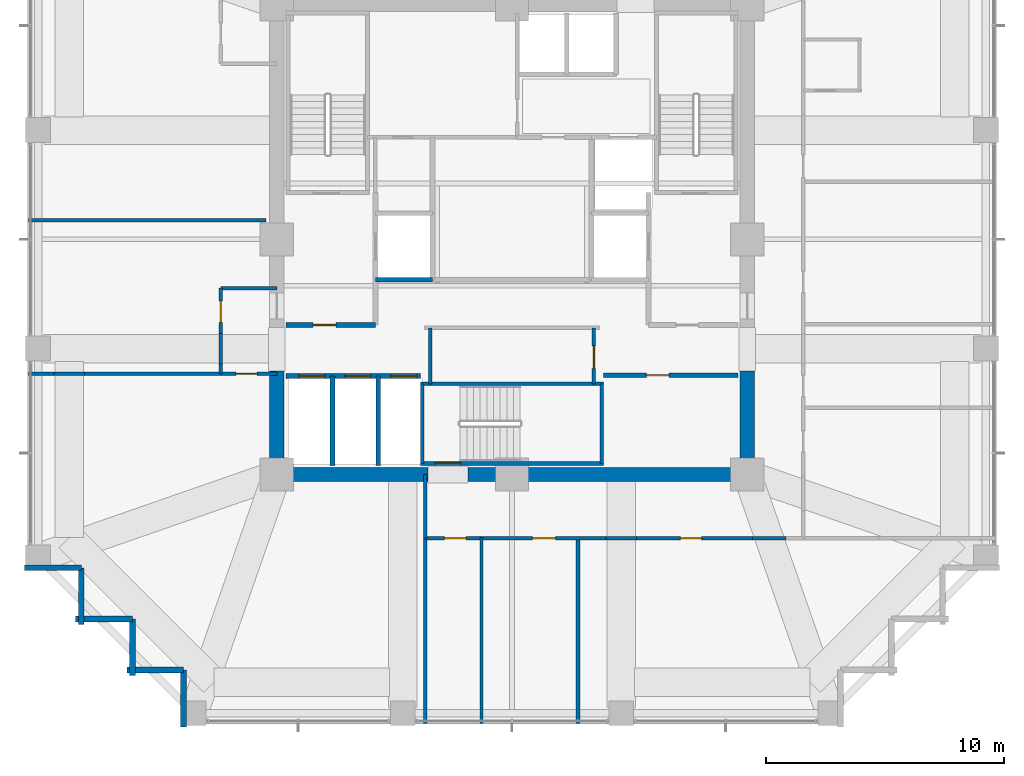
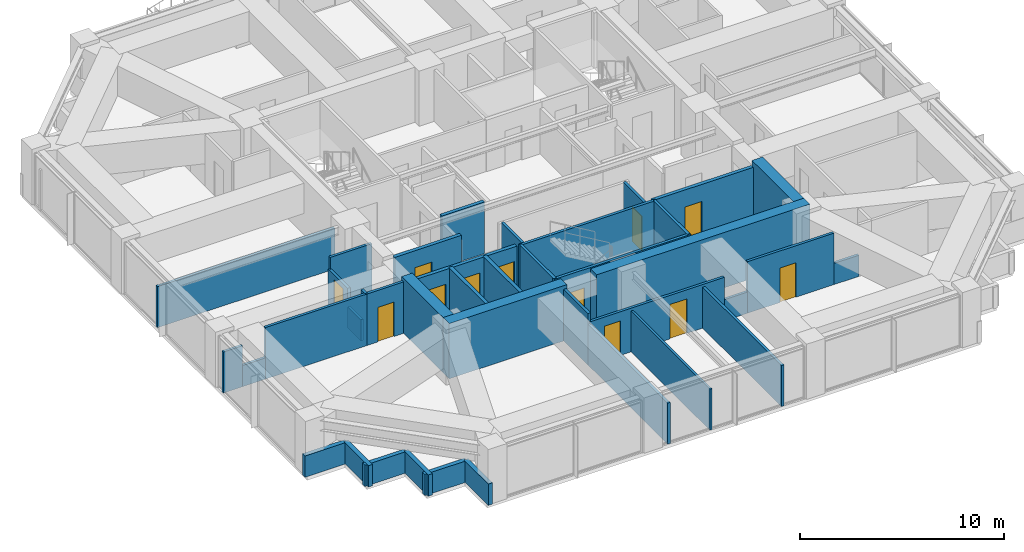
# One storey, part 30 of 34: 39 walls, 12 doors, 12 openings.
"""IFC4 building model written with IfcOpenShell, lengths in metres."""

from ifc_helpers import new_model, si_unit, direction, frame, frame_2d, origin, place, context, subcontext, project, spatial, rectangle, extrude, material, layer, layer_set, type_object, element, fill, save


model = new_model("IFC4")

# Units and contexts
model_context = context("Model", 3, precision=1e-05, world=origin(), true_north=direction((0.0, 1.0)))
body_context = subcontext(model_context, "Body", "Model", "MODEL_VIEW")
ifc_project = project(units=[si_unit("LENGTHUNIT", "METRE"), si_unit("AREAUNIT", "SQUARE_METRE"), si_unit("VOLUMEUNIT", "CUBIC_METRE"), si_unit("PLANEANGLEUNIT", "RADIAN"), si_unit("MASSUNIT", "GRAM", prefix="KILO")], contexts=[model_context])

# Site, building, storey
site_placement = place(None, origin())
site = spatial("IfcSite", under=ifc_project, at=site_placement, CompositionType="ELEMENT")
building_placement = place(site_placement, origin())
building = spatial("IfcBuilding", under=site, at=building_placement, Name="Kolvaren Belvedere", CompositionType="ELEMENT")
storey_placement = place(building_placement, frame((0.0, 0.0, 105.199951171875)))
storey = spatial("IfcBuildingStorey", under=building, at=storey_placement, Name="L30", CompositionType="ELEMENT", Elevation=105.199951171875)

# Walls
ifc_material_1 = material(Name="Concrete C60/75", Category="concrete")
ifc_layer_1 = layer(ifc_material_1, 0.60009765625)
ifc_layer_set_1 = layer_set([ifc_layer_1], Name="Concrete C60/75")
wall_type_1 = type_object("IfcWallType", Name="CW-CORE-600", PredefinedType="SHEAR", material=ifc_layer_set_1)
wall_1_placement = place(storey_placement, frame((10.199951171875, -9.89990234375, 0.0), z_axis=(0.0, 0.0, 1.0), x_axis=(-1.0, 0.0, 0.0)))
element("IfcWall", 1, at=wall_1_placement, inside=storey, type_object=wall_type_1, Name="L30 South Core Shear Wall 1", PredefinedType="SHEAR", context=body_context, shape_type="SweptSolid", body=[
    extrude(rectangle(XDim=12.06005859375, YDim=0.60009765625, at=frame_2d((6.030029296875, 0.0))), origin(), (0.0, 0.0, 1.0), 3.300048828125),
])
wall_2_placement = place(storey_placement, frame((-3.5400390625, -9.89990234375, 0.0), z_axis=(0.0, 0.0, 1.0), x_axis=(-1.0, 0.0, 0.0)))
element("IfcWall", 2, at=wall_2_placement, inside=storey, type_object=wall_type_1, Name="L30 South Core Shear Wall 2", PredefinedType="SHEAR", context=body_context, shape_type="SweptSolid", body=[
    extrude(rectangle(XDim=6.659912109375, YDim=0.60009765625, at=frame_2d((3.330078125, 0.0))), origin(), (0.0, 0.0, 1.0), 3.300048828125),
])
for number, where, z_axis, x_axis, name in (
    (3, (-9.89990234375, -9.60009765625, 0.0), (0.0, 0.0, 1.0), (0.0, 1.0, 0.0), "L30 West Core Shear Wall 1"),
    (4, (9.89990234375, -9.60009765625, 0.0), (0.0, 0.0, 1.0), (0.0, 1.0, 0.0), "L30 East Core Shear Wall 1"),
):
    element("IfcWall", number, at=place(storey_placement, frame(where, z_axis=z_axis, x_axis=x_axis)), inside=storey, type_object=wall_type_1, Name=name, PredefinedType="SHEAR", context=body_context, shape_type="SweptSolid", body=[
        extrude(rectangle(XDim=4.050048828125, YDim=0.60009765625, at=frame_2d((2.02490234375, 0.0))), origin(), (0.0, 0.0, 1.0), 3.300048828125),
    ])

# Wall, opening, door
ifc_material_2 = material(Name="Concrete C50/60", Category="concrete")
ifc_layer_2 = layer(ifc_material_2, 0.159912109375)
ifc_layer_set_2 = layer_set([ifc_layer_2], Name="Concrete C50/60")
wall_type_2 = type_object("IfcWallType", Name="CW-STAIR-160", PredefinedType="SHEAR", material=ifc_layer_set_2)
wall_3_placement = place(storey_placement, frame((3.860107421875, -9.429931640625, 0.0), z_axis=(0.0, 0.0, 1.0), x_axis=(-1.0, 0.0, 0.0)))
wall_3 = element("IfcWall", 5, at=wall_3_placement, inside=storey, type_object=wall_type_2, Name="L30 Stair ST-3 South Shear Wall", PredefinedType="SHEAR", context=body_context, shape_type="SweptSolid", body=[
    extrude(rectangle(XDim=7.72021484375, YDim=0.159912109375, at=frame_2d((3.860107421875, 0.0))), origin(), (0.0, 0.0, 1.0), 3.300048828125),
])
opening_1_placement = place(wall_3_placement, frame((6.010009765625, 0.0, 0.0)))
opening_1 = element("IfcOpeningElement", 6, at=opening_1_placement, cuts=wall_3, Name="Opening D-FD90", PredefinedType="OPENING", context=body_context, shape_type="SweptSolid", body=[
    extrude(rectangle(XDim=1.10009765625, YDim=2.199951171875, at=frame_2d((0.550048828125, 1.10009765625))), frame((0.0, 0.08984375, 0.0), z_axis=(0.0, -1.0, 0.0), x_axis=(1.0, 0.0, 0.0)), (0.0, 0.0, 1.0), 0.179931640625),
])
ifc_material_3 = material(Name="Painted hollow stainless steel", Category="steel")
door_type_1 = type_object("IfcDoorType", Name="DR-FD90-1100", OperationType="NOTDEFINED", PredefinedType="DOOR", material=ifc_material_3)
door_1_placement = place(opening_1_placement, origin())
door_1 = element("IfcDoor", 7, at=door_1_placement, inside=storey, type_object=door_type_1, Name="L30 Stair ST-3 Exit Door", OperationType="SINGLE_SWING_RIGHT", OverallHeight=2.199951171875, OverallWidth=1.10009765625, PredefinedType="DOOR", context=body_context, shape_type="SweptSolid", body=[
    extrude(rectangle(XDim=1.10009765625, YDim=2.199951171875, at=frame_2d((0.550048828125, 1.10009765625))), frame((0.0, 0.02490234375, 0.0), z_axis=(0.0, -1.0, 0.0), x_axis=(1.0, 0.0, 0.0)), (0.0, 0.0, 1.0), 0.050048828125),
])
fill(opening_1, door_1)

# Walls
wall_4_placement = place(storey_placement, frame((-3.860107421875, -6.080078125, 0.0), z_axis=(0.0, 0.0, 1.0), x_axis=(1.0, 0.0, 0.0)))
element("IfcWall", 8, at=wall_4_placement, inside=storey, type_object=wall_type_2, Name="L30 Stair ST-3 North Shear Wall", PredefinedType="SHEAR", context=body_context, shape_type="SweptSolid", body=[
    extrude(rectangle(XDim=7.72021484375, YDim=0.159912109375, at=frame_2d((3.860107421875, 0.0))), origin(), (0.0, 0.0, 1.0), 3.300048828125),
])
for number, where, z_axis, x_axis, name in (
    (9, (-3.780029296875, -9.429931640625, 0.0), (0.0, 0.0, 1.0), (0.0, 1.0, 0.0), "L30 Stair ST-3 West Shear Wall"),
    (10, (3.780029296875, -9.429931640625, 0.0), (0.0, 0.0, 1.0), (0.0, 1.0, 0.0), "L30 Stair ST-3 East Shear Wall"),
):
    element("IfcWall", number, at=place(storey_placement, frame(where, z_axis=z_axis, x_axis=x_axis)), inside=storey, type_object=wall_type_2, Name=name, PredefinedType="SHEAR", context=body_context, shape_type="SweptSolid", body=[
        extrude(rectangle(XDim=3.349853515625, YDim=0.159912109375, at=frame_2d((1.6748046875, 0.0))), origin(), (0.0, 0.0, 1.0), 3.300048828125),
    ])

# Wall, openings, doors
ifc_material_4 = material(Name="Gypsum fire-rated partition assembly", Category="gypsum")
ifc_layer_3 = layer(ifc_material_4, 0.14990234375)
ifc_layer_set_3 = layer_set([ifc_layer_3], Name="Gypsum fire-rated partition assembly")
wall_type_3 = type_object("IfcWallType", Name="WL-CORR-150", PredefinedType="PARTITIONING", material=ifc_layer_set_3)
wall_5_placement = place(storey_placement, frame((-3.64990234375, -12.580078125, 0.0), z_axis=(0.0, 0.0, 1.0), x_axis=(1.0, 0.0, 0.0)))
wall_5 = element("IfcWall", 11, at=wall_5_placement, inside=storey, type_object=wall_type_3, Name="L30 South-East Corridor Wall", PredefinedType="PARTITIONING", context=body_context, shape_type="SweptSolid", body=[
    extrude(rectangle(XDim=7.60791015625, YDim=0.14990234375, at=frame_2d((3.803955078125, 0.0))), origin(), (0.0, 0.0, 1.0), 2.60498046875),
])
opening_2_placement = place(wall_5_placement, frame((0.81787109375, 0.0, 0.0)))
opening_2 = element("IfcOpeningElement", 12, at=opening_2_placement, cuts=wall_5, Name="Opening D-INT90", PredefinedType="OPENING", context=body_context, shape_type="SweptSolid", body=[
    extrude(rectangle(XDim=0.89990234375, YDim=2.06005859375, at=frame_2d((0.449951171875, 1.030029296875))), frame((0.0, 0.0849609375, 0.0), z_axis=(0.0, -1.0, 0.0), x_axis=(1.0, 0.0, 0.0)), (0.0, 0.0, 1.0), 0.169921875),
])
opening_3_placement = place(wall_5_placement, frame((4.521728515625, 0.0, 0.0)))
opening_3 = element("IfcOpeningElement", 13, at=opening_3_placement, cuts=wall_5, Name="Opening D-INT95", PredefinedType="OPENING", context=body_context, shape_type="SweptSolid", body=[
    extrude(rectangle(XDim=0.949951171875, YDim=2.06005859375, at=frame_2d((0.47509765625, 1.030029296875))), frame((0.0, 0.0849609375, 0.0), z_axis=(0.0, -1.0, 0.0), x_axis=(1.0, 0.0, 0.0)), (0.0, 0.0, 1.0), 0.169921875),
])
ifc_material_5 = material(Name="Stained Pacific white oak", Category="timber")
door_type_2 = type_object("IfcDoorType", Name="DR-INT-900", OperationType="NOTDEFINED", PredefinedType="DOOR", material=ifc_material_5)
door_2_placement = place(opening_2_placement, origin())
door_2 = element("IfcDoor", 14, at=door_2_placement, inside=storey, type_object=door_type_2, Name="L30 Housekeeping Door", OperationType="SINGLE_SWING_LEFT", OverallHeight=2.06005859375, OverallWidth=0.89990234375, PredefinedType="DOOR", context=body_context, shape_type="SweptSolid", body=[
    extrude(rectangle(XDim=0.89990234375, YDim=2.06005859375, at=frame_2d((0.449951171875, 1.030029296875))), frame((0.0, 0.02490234375, 0.0), z_axis=(0.0, -1.0, 0.0), x_axis=(1.0, 0.0, 0.0)), (0.0, 0.0, 1.0), 0.050048828125),
])
fill(opening_2, door_2)
ifc_material_6 = material(Name="Stained Pacific white oak", Category="timber")
door_type_3 = type_object("IfcDoorType", Name="DR-INT-950", OperationType="NOTDEFINED", PredefinedType="DOOR", material=ifc_material_6)
door_3_placement = place(opening_3_placement, origin())
door_3 = element("IfcDoor", 15, at=door_3_placement, inside=storey, type_object=door_type_3, Name="L30 Accessible Washroom Door", OperationType="SINGLE_SWING_RIGHT", OverallHeight=2.06005859375, OverallWidth=0.949951171875, PredefinedType="DOOR", context=body_context, shape_type="SweptSolid", body=[
    extrude(rectangle(XDim=0.949951171875, YDim=2.06005859375, at=frame_2d((0.47509765625, 1.030029296875))), frame((0.0, 0.02490234375, 0.0), z_axis=(0.0, -1.0, 0.0), x_axis=(1.0, 0.0, 0.0)), (0.0, 0.0, 1.0), 0.050048828125),
])
fill(opening_3, door_3)

# Wall
wall_6_placement = place(storey_placement, frame((3.9580078125, -12.580078125, 0.0), z_axis=(0.0, 0.0, 1.0), x_axis=(1.0, 0.0, 0.0)))
element("IfcWall", 16, at=wall_6_placement, inside=storey, type_object=wall_type_3, Name="L30 South-East Corridor Wall", PredefinedType="PARTITIONING", context=body_context, shape_type="SweptSolid", body=[
    extrude(rectangle(XDim=1.283935546875, YDim=0.14990234375, at=frame_2d((0.64208984375, 0.0))), origin(), (0.0, 0.0, 1.0), 1.26513671875),
])

# Wall, opening, door
wall_7_placement = place(storey_placement, frame((5.241943359375, -12.580078125, 0.0), z_axis=(0.0, 0.0, 1.0), x_axis=(1.0, 0.0, 0.0)))
wall_7 = element("IfcWall", 17, at=wall_7_placement, inside=storey, type_object=wall_type_3, Name="L30 South-East Corridor Wall", PredefinedType="PARTITIONING", context=body_context, shape_type="SweptSolid", body=[
    extrude(rectangle(XDim=4.883056640625, YDim=0.14990234375, at=frame_2d((2.44140625, 0.0))), origin(), (0.0, 0.0, 1.0), 3.080078125),
])
opening_4_placement = place(wall_7_placement, frame((1.843017578125, 0.0, 0.0)))
opening_4 = element("IfcOpeningElement", 18, at=opening_4_placement, cuts=wall_7, Name="Opening D-INT90", PredefinedType="OPENING", context=body_context, shape_type="SweptSolid", body=[
    extrude(rectangle(XDim=0.89990234375, YDim=2.06005859375, at=frame_2d((0.449951171875, 1.030029296875))), frame((0.0, 0.0849609375, 0.0), z_axis=(0.0, -1.0, 0.0), x_axis=(1.0, 0.0, 0.0)), (0.0, 0.0, 1.0), 0.169921875),
])
door_4_placement = place(opening_4_placement, origin())
door_4 = element("IfcDoor", 19, at=door_4_placement, inside=storey, type_object=door_type_2, Name="L30 Lounge 3010 Door", OperationType="SINGLE_SWING_LEFT", OverallHeight=2.06005859375, OverallWidth=0.89990234375, PredefinedType="DOOR", context=body_context, shape_type="SweptSolid", body=[
    extrude(rectangle(XDim=0.89990234375, YDim=2.06005859375, at=frame_2d((0.449951171875, 1.030029296875))), frame((0.0, 0.02490234375, 0.0), z_axis=(0.0, -1.0, 0.0), x_axis=(1.0, 0.0, 0.0)), (0.0, 0.0, 1.0), 0.050048828125),
])
fill(opening_4, door_4)

# Walls
wall_8_placement = place(storey_placement, frame((10.125, -12.580078125, 0.0), z_axis=(0.0, 0.0, 1.0), x_axis=(1.0, 0.0, 0.0)))
element("IfcWall", 20, at=wall_8_placement, inside=storey, type_object=wall_type_3, Name="L30 South-East Corridor Wall", PredefinedType="PARTITIONING", context=body_context, shape_type="SweptSolid", body=[
    extrude(rectangle(XDim=1.416748046875, YDim=0.14990234375, at=frame_2d((0.70849609375, 0.0))), origin(), (0.0, 0.0, 1.0), 1.26513671875),
])
wall_9_placement = place(storey_placement, frame((-3.64990234375, -12.580078125, 0.0), z_axis=(0.0, 0.0, 1.0), x_axis=(0.0, 1.0, 0.0)))
element("IfcWall", 21, at=wall_9_placement, inside=storey, type_object=wall_type_3, Name="L30 South Spur West Closure Wall", PredefinedType="PARTITIONING", context=body_context, shape_type="SweptSolid", body=[
    extrude(rectangle(XDim=2.68017578125, YDim=0.14990234375, at=frame_2d((1.340087890625, 0.0))), origin(), (0.0, 0.0, 1.0), 3.080078125),
])
wall_10_placement = place(storey_placement, frame((-12.260009765625, -5.64990234375, 0.0), z_axis=(0.0, 0.0, 1.0), x_axis=(0.0, 1.0, 0.0)))
element("IfcWall", 22, at=wall_10_placement, inside=storey, type_object=wall_type_3, Name="L30 West FSAE Pocket Wall", PredefinedType="PARTITIONING", context=body_context, shape_type="SweptSolid", body=[
    extrude(rectangle(XDim=0.407958984375, YDim=0.14990234375, at=frame_2d((0.2041015625, 0.0))), origin(), (0.0, 0.0, 1.0), 3.080078125),
])
wall_11_placement = place(storey_placement, frame((-12.260009765625, -5.241943359375, 0.0), z_axis=(0.0, 0.0, 1.0), x_axis=(0.0, 1.0, 0.0)))
element("IfcWall", 23, at=wall_11_placement, inside=storey, type_object=wall_type_3, Name="L30 West FSAE Pocket Wall", PredefinedType="PARTITIONING", context=body_context, shape_type="SweptSolid", body=[
    extrude(rectangle(XDim=1.283935546875, YDim=0.14990234375, at=frame_2d((0.64208984375, 0.0))), origin(), (0.0, 0.0, 1.0), 1.26513671875),
])

# Wall, opening, door
wall_12_placement = place(storey_placement, frame((-12.260009765625, -3.9580078125, 0.0), z_axis=(0.0, 0.0, 1.0), x_axis=(0.0, 1.0, 0.0)))
wall_12 = element("IfcWall", 24, at=wall_12_placement, inside=storey, type_object=wall_type_3, Name="L30 West FSAE Pocket Wall", PredefinedType="PARTITIONING", context=body_context, shape_type="SweptSolid", body=[
    extrude(rectangle(XDim=1.907958984375, YDim=0.14990234375, at=frame_2d((0.9541015625, 0.0))), origin(), (0.0, 0.0, 1.0), 2.369140625),
])
opening_5_placement = place(wall_12_placement, frame((0.464111328125, 0.0, 0.0)))
opening_5 = element("IfcOpeningElement", 25, at=opening_5_placement, cuts=wall_12, Name="Opening D-INT90", PredefinedType="OPENING", context=body_context, shape_type="SweptSolid", body=[
    extrude(rectangle(XDim=0.89990234375, YDim=2.06005859375, at=frame_2d((0.449951171875, 1.030029296875))), frame((0.0, 0.0849609375, 0.0), z_axis=(0.0, -1.0, 0.0), x_axis=(1.0, 0.0, 0.0)), (0.0, 0.0, 1.0), 0.169921875),
])
door_5_placement = place(opening_5_placement, origin())
door_5 = element("IfcDoor", 26, at=door_5_placement, inside=storey, type_object=door_type_2, Name="L30 Lounge 3008 Door", OperationType="SINGLE_SWING_LEFT", OverallHeight=2.06005859375, OverallWidth=0.89990234375, PredefinedType="DOOR", context=body_context, shape_type="SweptSolid", body=[
    extrude(rectangle(XDim=0.89990234375, YDim=2.06005859375, at=frame_2d((0.449951171875, 1.030029296875))), frame((0.0, 0.02490234375, 0.0), z_axis=(0.0, -1.0, 0.0), x_axis=(1.0, 0.0, 0.0)), (0.0, 0.0, 1.0), 0.050048828125),
])
fill(opening_5, door_5)

# Wall
wall_13_placement = place(storey_placement, frame((-12.260009765625, -2.050048828125, 0.0), z_axis=(0.0, 0.0, 1.0), x_axis=(1.0, 0.0, 0.0)))
element("IfcWall", 27, at=wall_13_placement, inside=storey, type_object=wall_type_3, Name="L30 West Pocket North Closure Wall", PredefinedType="PARTITIONING", context=body_context, shape_type="SweptSolid", body=[
    extrude(rectangle(XDim=2.360107421875, YDim=0.14990234375, at=frame_2d((1.18017578125, 0.0))), origin(), (0.0, 0.0, 1.0), 3.080078125),
])

# Wall, opening, door
wall_14_placement = place(storey_placement, frame((-12.260009765625, -5.64990234375, 0.0), z_axis=(0.0, 0.0, 1.0), x_axis=(1.0, 0.0, 0.0)))
wall_14 = element("IfcWall", 28, at=wall_14_placement, inside=storey, type_object=wall_type_3, Name="L30 West Pocket South Closure Wall", PredefinedType="PARTITIONING", context=body_context, shape_type="SweptSolid", body=[
    extrude(rectangle(XDim=2.360107421875, YDim=0.14990234375, at=frame_2d((1.18017578125, 0.0))), origin(), (0.0, 0.0, 1.0), 3.080078125),
])
opening_6_placement = place(wall_14_placement, frame((0.631591796875, 0.0, 0.0)))
opening_6 = element("IfcOpeningElement", 29, at=opening_6_placement, cuts=wall_14, Name="Opening D-INT90", PredefinedType="OPENING", context=body_context, shape_type="SweptSolid", body=[
    extrude(rectangle(XDim=0.89990234375, YDim=2.06005859375, at=frame_2d((0.449951171875, 1.030029296875))), frame((0.0, 0.0849609375, 0.0), z_axis=(0.0, -1.0, 0.0), x_axis=(1.0, 0.0, 0.0)), (0.0, 0.0, 1.0), 0.169921875),
])
door_6_placement = place(opening_6_placement, origin())
door_6 = element("IfcDoor", 30, at=door_6_placement, inside=storey, type_object=door_type_2, Name="L30 Lounge 3009 Door", OperationType="SINGLE_SWING_RIGHT", OverallHeight=2.06005859375, OverallWidth=0.89990234375, PredefinedType="DOOR", context=body_context, shape_type="SweptSolid", body=[
    extrude(rectangle(XDim=0.89990234375, YDim=2.06005859375, at=frame_2d((0.449951171875, 1.030029296875))), frame((0.0, 0.02490234375, 0.0), z_axis=(0.0, -1.0, 0.0), x_axis=(1.0, 0.0, 0.0)), (0.0, 0.0, 1.0), 0.050048828125),
])
fill(opening_6, door_6)

# Walls
ifc_material_7 = material(Name="Insulated pale-metal facade wall assembly", Category="aluminium")
ifc_layer_4 = layer(ifc_material_7, 0.239990234375)
ifc_layer_set_4 = layer_set([ifc_layer_4], Name="Insulated pale-metal facade wall assembly")
wall_type_4 = type_object("IfcWallType", Name="WL-EXT-240", PredefinedType="STANDARD", material=ifc_layer_set_4)
wall_15_placement = place(storey_placement, frame((-18.1298828125, -13.830078125, 0.0), z_axis=(0.0, 0.0, 1.0), x_axis=(-1.0, 0.0, 0.0)))
element("IfcWall", 31, at=wall_15_placement, inside=storey, type_object=wall_type_4, Name="L30 Serrated Corner Facade Wall 23", PredefinedType="STANDARD", context=body_context, shape_type="SweptSolid", body=[
    extrude(rectangle(XDim=2.39013671875, YDim=0.239990234375, at=frame_2d((1.195068359375, 0.0))), origin(), (0.0, 0.0, 1.0), 1.275146484375),
])
wall_16_placement = place(storey_placement, frame((-18.1298828125, -16.219970703125, 0.0), z_axis=(0.0, 0.0, 1.0), x_axis=(0.0, 1.0, 0.0)))
element("IfcWall", 32, at=wall_16_placement, inside=storey, type_object=wall_type_4, Name="L30 Serrated Corner Facade Wall 24", PredefinedType="STANDARD", context=body_context, shape_type="SweptSolid", body=[
    extrude(rectangle(XDim=2.389892578125, YDim=0.239990234375, at=frame_2d((1.19482421875, 0.0))), origin(), (0.0, 0.0, 1.0), 1.275146484375),
])
for number, where, z_axis, x_axis, name in (
    (33, (-15.97998046875, -15.97998046875, 0.0), (0.0, 0.0, 1.0), (-1.0, 0.0, 0.0), "L30 Serrated Corner Facade Wall 25"),
    (34, (-15.97998046875, -18.3701171875, 0.0), (0.0, 0.0, 1.0), (0.0, 1.0, 0.0), "L30 Serrated Corner Facade Wall 26"),
):
    element("IfcWall", number, at=place(storey_placement, frame(where, z_axis=z_axis, x_axis=x_axis)), inside=storey, type_object=wall_type_4, Name=name, PredefinedType="STANDARD", context=body_context, shape_type="SweptSolid", body=[
        extrude(rectangle(XDim=2.39013671875, YDim=0.239990234375, at=frame_2d((1.195068359375, 0.0))), origin(), (0.0, 0.0, 1.0), 1.275146484375),
    ])
wall_17_placement = place(storey_placement, frame((-13.830078125, -18.1298828125, 0.0), z_axis=(0.0, 0.0, 1.0), x_axis=(-1.0, 0.0, 0.0)))
element("IfcWall", 35, at=wall_17_placement, inside=storey, type_object=wall_type_4, Name="L30 Serrated Corner Facade Wall 27", PredefinedType="STANDARD", context=body_context, shape_type="SweptSolid", body=[
    extrude(rectangle(XDim=2.389892578125, YDim=0.239990234375, at=frame_2d((1.19482421875, 0.0))), origin(), (0.0, 0.0, 1.0), 1.275146484375),
])
wall_18_placement = place(storey_placement, frame((-13.830078125, -20.52001953125, 0.0), z_axis=(0.0, 0.0, 1.0), x_axis=(0.0, 1.0, 0.0)))
element("IfcWall", 36, at=wall_18_placement, inside=storey, type_object=wall_type_4, Name="L30 Serrated Corner Facade Wall 28", PredefinedType="STANDARD", context=body_context, shape_type="SweptSolid", body=[
    extrude(rectangle(XDim=2.39013671875, YDim=0.239990234375, at=frame_2d((1.195068359375, 0.0))), origin(), (0.0, 0.0, 1.0), 1.275146484375),
])

# Wall, opening, door
ifc_material_8 = material(Name="Gypsum acoustic partition assembly", Category="gypsum")
ifc_layer_5 = layer(ifc_material_8, 0.14990234375)
ifc_layer_set_5 = layer_set([ifc_layer_5], Name="Gypsum acoustic partition assembly")
wall_type_5 = type_object("IfcWallType", Name="WL-PART-150", PredefinedType="PARTITIONING", material=ifc_layer_set_5)
wall_19_placement = place(storey_placement, frame((3.449951171875, -6.080078125, 0.0), z_axis=(0.0, 0.0, 1.0), x_axis=(0.0, 1.0, 0.0)))
wall_19 = element("IfcWall", 37, at=wall_19_placement, inside=storey, type_object=wall_type_5, Name="L30 South Core Service East Wall", PredefinedType="PARTITIONING", context=body_context, shape_type="SweptSolid", body=[
    extrude(rectangle(XDim=2.360107421875, YDim=0.14990234375, at=frame_2d((1.18017578125, 0.0))), origin(), (0.0, 0.0, 1.0), 3.080078125),
])
opening_7_placement = place(wall_19_placement, frame((0.64990234375, 0.0, 0.0)))
opening_7 = element("IfcOpeningElement", 38, at=opening_7_placement, cuts=wall_19, Name="Opening D-FD60", PredefinedType="OPENING", context=body_context, shape_type="SweptSolid", body=[
    extrude(rectangle(XDim=0.949951171875, YDim=2.06005859375, at=frame_2d((0.47509765625, 1.030029296875))), frame((0.0, 0.0849609375, 0.0), z_axis=(0.0, -1.0, 0.0), x_axis=(1.0, 0.0, 0.0)), (0.0, 0.0, 1.0), 0.169921875),
])
ifc_material_9 = material(Name="Acoustic white-oak fire door leaf", Category="timber")
door_type_4 = type_object("IfcDoorType", Name="DR-FD60-950", OperationType="NOTDEFINED", PredefinedType="DOOR", material=ifc_material_9)
door_7_placement = place(opening_7_placement, origin())
door_7 = element("IfcDoor", 39, at=door_7_placement, inside=storey, type_object=door_type_4, Name="L30 Core Service Room Door", OperationType="SINGLE_SWING_LEFT", OverallHeight=2.06005859375, OverallWidth=0.949951171875, PredefinedType="DOOR", context=body_context, shape_type="SweptSolid", body=[
    extrude(rectangle(XDim=0.949951171875, YDim=2.06005859375, at=frame_2d((0.47509765625, 1.030029296875))), frame((0.0, 0.02490234375, 0.0), z_axis=(0.0, -1.0, 0.0), x_axis=(1.0, 0.0, 0.0)), (0.0, 0.0, 1.0), 0.050048828125),
])
fill(opening_7, door_7)

# Walls
wall_20_placement = place(storey_placement, frame((-3.449951171875, -6.080078125, 0.0), z_axis=(0.0, 0.0, 1.0), x_axis=(0.0, 1.0, 0.0)))
element("IfcWall", 40, at=wall_20_placement, inside=storey, type_object=wall_type_5, Name="L30 South Core Service West Wall", PredefinedType="PARTITIONING", context=body_context, shape_type="SweptSolid", body=[
    extrude(rectangle(XDim=2.360107421875, YDim=0.14990234375, at=frame_2d((1.18017578125, 0.0))), origin(), (0.0, 0.0, 1.0), 3.080078125),
])
wall_21_placement = place(storey_placement, frame((-20.3798828125, 0.800048828125, 0.0), z_axis=(0.0, 0.0, 1.0), x_axis=(1.0, 0.0, 0.0)))
element("IfcWall", 41, at=wall_21_placement, inside=storey, type_object=wall_type_5, Name="L30 West Upper Suite Divider", PredefinedType="PARTITIONING", context=body_context, shape_type="SweptSolid", body=[
    extrude(rectangle(XDim=10.019775390625, YDim=0.14990234375, at=frame_2d((5.009765625, 0.0))), origin(), (0.0, 0.0, 1.0), 2.448974609375),
])
wall_22_placement = place(storey_placement, frame((-20.3798828125, -5.64990234375, 0.0), z_axis=(0.0, 0.0, 1.0), x_axis=(1.0, 0.0, 0.0)))
element("IfcWall", 42, at=wall_22_placement, inside=storey, type_object=wall_type_5, Name="L30 West Mid Suite South Wall", PredefinedType="PARTITIONING", context=body_context, shape_type="SweptSolid", body=[
    extrude(rectangle(XDim=1.087890625, YDim=0.14990234375, at=frame_2d((0.5439453125, 0.0))), origin(), (0.0, 0.0, 1.0), 2.448974609375),
])
wall_23_placement = place(storey_placement, frame((-19.2919921875, -5.64990234375, 0.0), z_axis=(0.0, 0.0, 1.0), x_axis=(1.0, 0.0, 0.0)))
element("IfcWall", 43, at=wall_23_placement, inside=storey, type_object=wall_type_5, Name="L30 West Mid Suite South Wall", PredefinedType="PARTITIONING", context=body_context, shape_type="SweptSolid", body=[
    extrude(rectangle(XDim=1.283935546875, YDim=0.14990234375, at=frame_2d((0.64208984375, 0.0))), origin(), (0.0, 0.0, 1.0), 1.26513671875),
])
wall_24_placement = place(storey_placement, frame((-18.008056640625, -5.64990234375, 0.0), z_axis=(0.0, 0.0, 1.0), x_axis=(1.0, 0.0, 0.0)))
element("IfcWall", 44, at=wall_24_placement, inside=storey, type_object=wall_type_5, Name="L30 West Mid Suite South Wall", PredefinedType="PARTITIONING", context=body_context, shape_type="SweptSolid", body=[
    extrude(rectangle(XDim=5.748046875, YDim=0.14990234375, at=frame_2d((2.8740234375, 0.0))), origin(), (0.0, 0.0, 1.0), 3.080078125),
])
for number, where, z_axis, x_axis, name in (
    (45, (-3.64990234375, -20.3798828125, 0.0), (0.0, 0.0, 1.0), (0.0, 1.0, 0.0), "L30 South Mid-West Wall"),
    (46, (2.780029296875, -20.3798828125, 0.0), (0.0, 0.0, 1.0), (0.0, 1.0, 0.0), "L30 South-East Suite Divider 1"),
):
    element("IfcWall", number, at=place(storey_placement, frame(where, z_axis=z_axis, x_axis=x_axis)), inside=storey, type_object=wall_type_5, Name=name, PredefinedType="PARTITIONING", context=body_context, shape_type="SweptSolid", body=[
        extrude(rectangle(XDim=7.7998046875, YDim=0.14990234375, at=frame_2d((3.89990234375, 0.0))), origin(), (0.0, 0.0, 1.0), 2.448974609375),
    ])

# Wall, opening, door
ifc_material_10 = material(Name="Concrete C50/60", Category="concrete")
ifc_layer_6 = layer(ifc_material_10, 0.199951171875)
ifc_layer_set_6 = layer_set([ifc_layer_6], Name="Concrete C50/60")
wall_type_6 = type_object("IfcWallType", Name="WL-SHAFT-200", PredefinedType="SOLIDWALL", material=ifc_layer_set_6)
wall_25_placement = place(storey_placement, frame((-9.52001953125, -3.60009765625, 0.0), z_axis=(0.0, 0.0, 1.0), x_axis=(1.0, 0.0, 0.0)))
wall_25 = element("IfcWall", 47, at=wall_25_placement, inside=storey, type_object=wall_type_6, Name="L30 West FSAE Lobby South Wall", PredefinedType="SOLIDWALL", context=body_context, shape_type="SweptSolid", body=[
    extrude(rectangle(XDim=3.77001953125, YDim=0.199951171875, at=frame_2d((1.885009765625, 0.0))), origin(), (0.0, 0.0, 1.0), 3.080078125),
])
opening_8_placement = place(wall_25_placement, frame((1.14990234375, 0.0, 0.0)))
opening_8 = element("IfcOpeningElement", 48, at=opening_8_placement, cuts=wall_25, Name="Opening D-FD60", PredefinedType="OPENING", context=body_context, shape_type="SweptSolid", body=[
    extrude(rectangle(XDim=0.949951171875, YDim=2.06005859375, at=frame_2d((0.47509765625, 1.030029296875))), frame((0.0, 0.10986328125, 0.0), z_axis=(0.0, -1.0, 0.0), x_axis=(1.0, 0.0, 0.0)), (0.0, 0.0, 1.0), 0.219970703125),
])
door_8_placement = place(opening_8_placement, origin())
door_8 = element("IfcDoor", 49, at=door_8_placement, inside=storey, type_object=door_type_4, Name="L30 Mid-Rise Lift Lobby Fire Door", OperationType="SINGLE_SWING_LEFT", OverallHeight=2.06005859375, OverallWidth=0.949951171875, PredefinedType="DOOR", context=body_context, shape_type="SweptSolid", body=[
    extrude(rectangle(XDim=0.949951171875, YDim=2.06005859375, at=frame_2d((0.47509765625, 1.030029296875))), frame((0.0, 0.02490234375, 0.0), z_axis=(0.0, -1.0, 0.0), x_axis=(1.0, 0.0, 0.0)), (0.0, 0.0, 1.0), 0.050048828125),
])
fill(opening_8, door_8)

# Wall
wall_26_placement = place(storey_placement, frame((-5.75, -1.699951171875, 0.0), z_axis=(0.0, 0.0, 1.0), x_axis=(1.0, 0.0, 0.0)))
element("IfcWall", 50, at=wall_26_placement, inside=storey, type_object=wall_type_6, Name="L30 FSAE FS1 South Wall", PredefinedType="SOLIDWALL", context=body_context, shape_type="SweptSolid", body=[
    extrude(rectangle(XDim=2.39990234375, YDim=0.199951171875, at=frame_2d((1.199951171875, 0.0))), origin(), (0.0, 0.0, 1.0), 3.080078125),
])

# Wall, openings, doors
wall_27_placement = place(storey_placement, frame((-9.52001953125, -5.75, 0.0), z_axis=(0.0, 0.0, 1.0), x_axis=(1.0, 0.0, 0.0)))
wall_27 = element("IfcWall", 51, at=wall_27_placement, inside=storey, type_object=wall_type_6, Name="L30 Mid-Rise Lift Bank Front Wall", PredefinedType="SOLIDWALL", context=body_context, shape_type="SweptSolid", body=[
    extrude(rectangle(XDim=5.659912109375, YDim=0.199951171875, at=frame_2d((2.830078125, 0.0))), origin(), (0.0, 0.0, 1.0), 3.080078125),
])
opening_9_placement = place(wall_27_placement, frame((0.550048828125, 0.0, 0.0)))
opening_9 = element("IfcOpeningElement", 52, at=opening_9_placement, cuts=wall_27, Name="Opening LD-11", PredefinedType="OPENING", context=body_context, shape_type="SweptSolid", body=[
    extrude(rectangle(XDim=1.10009765625, YDim=2.199951171875, at=frame_2d((0.550048828125, 1.10009765625))), frame((0.0, 0.10986328125, 0.0), z_axis=(0.0, -1.0, 0.0), x_axis=(1.0, 0.0, 0.0)), (0.0, 0.0, 1.0), 0.219970703125),
])
opening_10_placement = place(wall_27_placement, frame((2.47998046875, 0.0, 0.0)))
opening_10 = element("IfcOpeningElement", 53, at=opening_10_placement, cuts=wall_27, Name="Opening LD-11", PredefinedType="OPENING", context=body_context, shape_type="SweptSolid", body=[
    extrude(rectangle(XDim=1.10009765625, YDim=2.199951171875, at=frame_2d((0.550048828125, 1.10009765625))), frame((0.0, 0.10986328125, 0.0), z_axis=(0.0, -1.0, 0.0), x_axis=(1.0, 0.0, 0.0)), (0.0, 0.0, 1.0), 0.219970703125),
])
opening_11_placement = place(wall_27_placement, frame((4.409912109375, 0.0, 0.0)))
opening_11 = element("IfcOpeningElement", 54, at=opening_11_placement, cuts=wall_27, Name="Opening LD-11", PredefinedType="OPENING", context=body_context, shape_type="SweptSolid", body=[
    extrude(rectangle(XDim=1.10009765625, YDim=2.199951171875, at=frame_2d((0.550048828125, 1.10009765625))), frame((0.0, 0.10986328125, 0.0), z_axis=(0.0, -1.0, 0.0), x_axis=(1.0, 0.0, 0.0)), (0.0, 0.0, 1.0), 0.219970703125),
])
ifc_material_11 = material(Name="Brushed stainless steel", Category="steel")
door_type_5 = type_object("IfcDoorType", Name="DR-LIFT-1100", OperationType="DOUBLE_DOOR_SLIDING", PredefinedType="DOOR", material=ifc_material_11)
door_9_placement = place(opening_9_placement, origin())
door_9 = element("IfcDoor", 55, at=door_9_placement, inside=storey, type_object=door_type_5, Name="L30 Passenger Lift P4 Landing Door", OperationType="DOUBLE_DOOR_SLIDING", OverallHeight=2.199951171875, OverallWidth=1.10009765625, PredefinedType="DOOR", context=body_context, shape_type="SweptSolid", body=[
    extrude(rectangle(XDim=1.10009765625, YDim=2.199951171875, at=frame_2d((0.550048828125, 1.10009765625))), frame((0.0, 0.02490234375, 0.0), z_axis=(0.0, -1.0, 0.0), x_axis=(1.0, 0.0, 0.0)), (0.0, 0.0, 1.0), 0.050048828125),
])
fill(opening_9, door_9)
door_10_placement = place(opening_10_placement, origin())
door_10 = element("IfcDoor", 56, at=door_10_placement, inside=storey, type_object=door_type_5, Name="L30 Passenger Lift P5 Landing Door", OperationType="DOUBLE_DOOR_SLIDING", OverallHeight=2.199951171875, OverallWidth=1.10009765625, PredefinedType="DOOR", context=body_context, shape_type="SweptSolid", body=[
    extrude(rectangle(XDim=1.10009765625, YDim=2.199951171875, at=frame_2d((0.550048828125, 1.10009765625))), frame((0.0, 0.02490234375, 0.0), z_axis=(0.0, -1.0, 0.0), x_axis=(1.0, 0.0, 0.0)), (0.0, 0.0, 1.0), 0.050048828125),
])
fill(opening_10, door_10)
door_11_placement = place(opening_11_placement, origin())
door_11 = element("IfcDoor", 57, at=door_11_placement, inside=storey, type_object=door_type_5, Name="L30 Passenger Lift P6 Landing Door", OperationType="DOUBLE_DOOR_SLIDING", OverallHeight=2.199951171875, OverallWidth=1.10009765625, PredefinedType="DOOR", context=body_context, shape_type="SweptSolid", body=[
    extrude(rectangle(XDim=1.10009765625, YDim=2.199951171875, at=frame_2d((0.550048828125, 1.10009765625))), frame((0.0, 0.02490234375, 0.0), z_axis=(0.0, -1.0, 0.0), x_axis=(1.0, 0.0, 0.0)), (0.0, 0.0, 1.0), 0.050048828125),
])
fill(opening_11, door_11)

# Walls
for number, where, z_axis, x_axis, name in (
    (58, (-7.56005859375, -9.52001953125, 0.0), (0.0, 0.0, 1.0), (0.0, 1.0, 0.0), "L30 Mid-Rise Hoistway Divider 1"),
    (59, (-5.6298828125, -9.52001953125, 0.0), (0.0, 0.0, 1.0), (0.0, 1.0, 0.0), "L30 Mid-Rise Hoistway Divider 2"),
):
    element("IfcWall", number, at=place(storey_placement, frame(where, z_axis=z_axis, x_axis=x_axis)), inside=storey, type_object=wall_type_6, Name=name, PredefinedType="SOLIDWALL", context=body_context, shape_type="SweptSolid", body=[
        extrude(rectangle(XDim=3.77001953125, YDim=0.199951171875, at=frame_2d((1.885009765625, 0.0))), origin(), (0.0, 0.0, 1.0), 3.080078125),
    ])

# Wall, opening, door
wall_28_placement = place(storey_placement, frame((3.860107421875, -5.719970703125, 0.0), z_axis=(0.0, 0.0, 1.0), x_axis=(1.0, 0.0, 0.0)))
wall_28 = element("IfcWall", 60, at=wall_28_placement, inside=storey, type_object=wall_type_6, Name="L30 SE Core Distribution Wall", PredefinedType="SOLIDWALL", context=body_context, shape_type="SweptSolid", body=[
    extrude(rectangle(XDim=5.659912109375, YDim=0.199951171875, at=frame_2d((2.830078125, 0.0))), origin(), (0.0, 0.0, 1.0), 3.080078125),
])
opening_12_placement = place(wall_28_placement, frame((1.800048828125, 0.0, 0.0)))
opening_12 = element("IfcOpeningElement", 61, at=opening_12_placement, cuts=wall_28, Name="Opening D-FD60", PredefinedType="OPENING", context=body_context, shape_type="SweptSolid", body=[
    extrude(rectangle(XDim=0.949951171875, YDim=2.06005859375, at=frame_2d((0.47509765625, 1.030029296875))), frame((0.0, 0.10986328125, 0.0), z_axis=(0.0, -1.0, 0.0), x_axis=(1.0, 0.0, 0.0)), (0.0, 0.0, 1.0), 0.219970703125),
])
door_12_placement = place(opening_12_placement, origin())
door_12 = element("IfcDoor", 62, at=door_12_placement, inside=storey, type_object=door_type_4, Name="L30 Core Electrical & BMS Room Door", OperationType="SINGLE_SWING_RIGHT", OverallHeight=2.06005859375, OverallWidth=0.949951171875, PredefinedType="DOOR", context=body_context, shape_type="SweptSolid", body=[
    extrude(rectangle(XDim=0.949951171875, YDim=2.06005859375, at=frame_2d((0.47509765625, 1.030029296875))), frame((0.0, 0.02490234375, 0.0), z_axis=(0.0, -1.0, 0.0), x_axis=(1.0, 0.0, 0.0)), (0.0, 0.0, 1.0), 0.050048828125),
])
fill(opening_12, door_12)

# Wall
ifc_material_12 = material(Name="Moisture-resistant gypsum partition", Category="gypsum")
ifc_layer_7 = layer(ifc_material_12, 0.125)
ifc_layer_set_7 = layer_set([ifc_layer_7], Name="Moisture-resistant gypsum partition")
wall_type_7 = type_object("IfcWallType", Name="WL-WET-125", PredefinedType="PARTITIONING", material=ifc_layer_set_7)
wall_29_placement = place(storey_placement, frame((-1.280029296875, -20.3798828125, 0.0), z_axis=(0.0, 0.0, 1.0), x_axis=(0.0, 1.0, 0.0)))
element("IfcWall", 63, at=wall_29_placement, inside=storey, type_object=wall_type_7, Name="L30 Housekeeping Washroom Divider", PredefinedType="PARTITIONING", context=body_context, shape_type="SweptSolid", body=[
    extrude(rectangle(XDim=7.824951171875, YDim=0.125, at=frame_2d((3.91259765625, 0.0))), origin(), (0.0, 0.0, 1.0), 2.448974609375),
])

save(model, "model.ifc")
